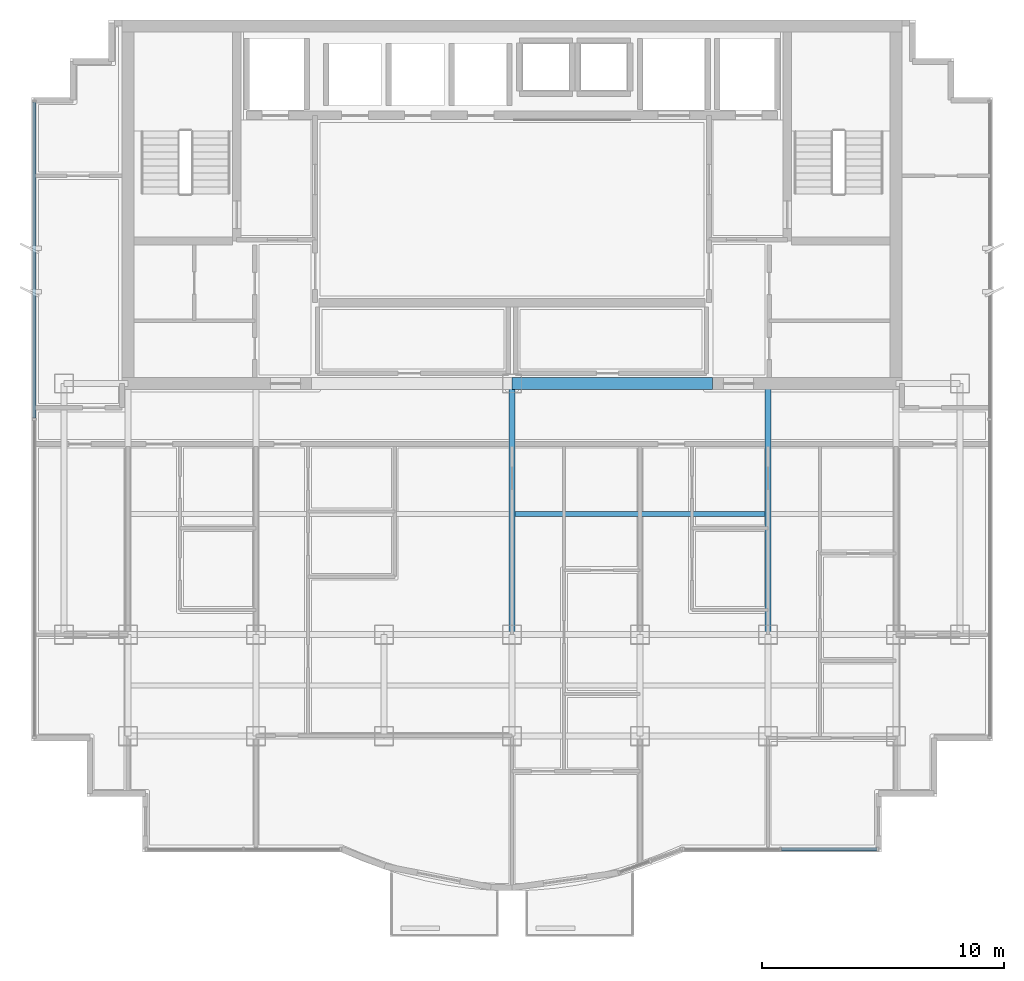
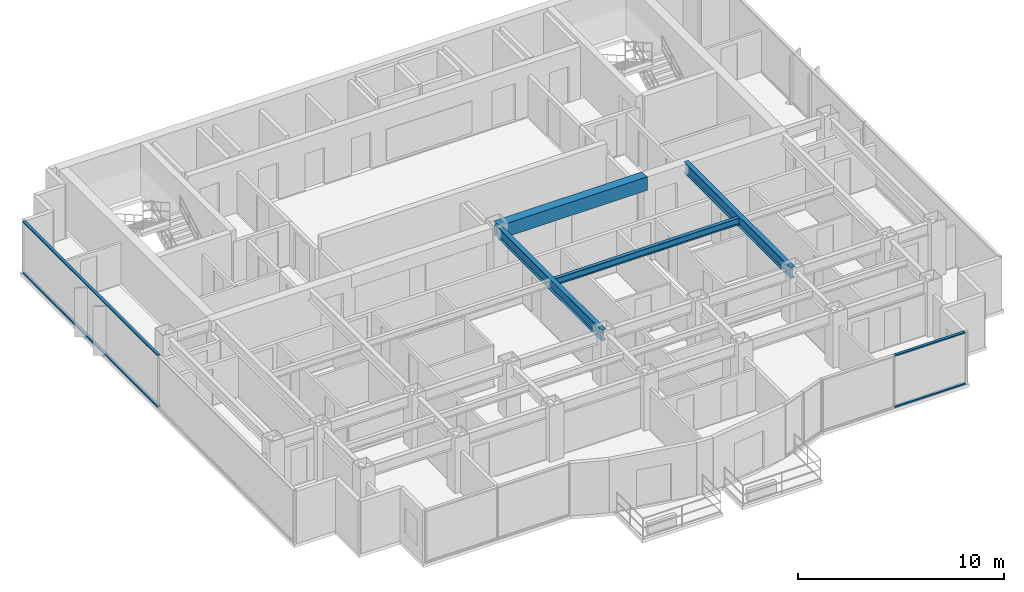
# One storey, part 3 of 12: 4 beams, 4 members, 2 elements without a shape of their own.
"""IFC4 building model written with IfcOpenShell, lengths in metres."""

from ifc_helpers import new_model, si_unit, direction, frame, origin, origin_2d, place, context, subcontext, project, spatial, rectangle, i_section, extrude, source, transform, mapped, material, layer, layer_set, material_profile, profile_set, type_object, element, aggregate, save


model = new_model("IFC4")

# Units and contexts
model_context = context("Model", 3, precision=1e-05, world=origin(), true_north=direction((0.0, 1.0)))
body_context = subcontext(model_context, "Body", "Model", "MODEL_VIEW")
ifc_project = project(units=[si_unit("LENGTHUNIT", "METRE"), si_unit("AREAUNIT", "SQUARE_METRE"), si_unit("VOLUMEUNIT", "CUBIC_METRE"), si_unit("PLANEANGLEUNIT", "RADIAN"), si_unit("MASSUNIT", "GRAM", prefix="KILO")], contexts=[model_context])

# Site, building, storey
site_placement = place(None, origin())
site = spatial("IfcSite", under=ifc_project, at=site_placement, CompositionType="ELEMENT")
building_placement = place(site_placement, origin())
building = spatial("IfcBuilding", under=site, at=building_placement, Name="Qianlan Lanfeng Residences", CompositionType="ELEMENT")
storey_placement = place(building_placement, frame((0.0, 0.0, 200.0)))
storey = spatial("IfcBuildingStorey", under=building, at=storey_placement, Name="L54", CompositionType="ELEMENT", Elevation=200.0)

# Beams
ifc_material_1 = material(Name="Steel SN490B", Category="steel")
ifc_material_profile_1 = material_profile(ifc_material_1, i_section(OverallWidth=0.25, OverallDepth=0.64990234375, WebThickness=0.012939453125, FlangeThickness=0.02197265625, at=origin_2d()), Name="H 650x250x13x22")
ifc_profile_set_1 = profile_set([ifc_material_profile_1], Name="Steel SN490B")
beam_type_1 = type_object("IfcBeamType", Name="G-650", PredefinedType="BEAM", material=ifc_profile_set_1)
for number, where, z_axis, x_axis, name in (
    (1, (26.5, 14.800048828125, 2.784912109375), (0.0, 1.0, 0.0), (-1.0, 0.0, 0.0), "Structural beam G-650"),
    (2, (37.10009765625, 14.800048828125, 2.784912109375), (0.0, 1.0, 0.0), (-1.0, 0.0, 0.0), "Structural beam G-650"),
):
    element("IfcBeam", number, at=place(storey_placement, frame(where, z_axis=z_axis, x_axis=x_axis)), inside=storey, type_object=beam_type_1, Name=name, PredefinedType="BEAM", context=body_context, shape_type="SweptSolid", body=[
        extrude(i_section(OverallWidth=0.25, OverallDepth=0.64990234375, WebThickness=0.012939453125, FlangeThickness=0.02197265625, at=origin_2d()), origin(), (0.0, 0.0, 1.0), 10.39990234375),
    ])
ifc_material_profile_2 = material_profile(ifc_material_1, i_section(OverallWidth=0.199951171875, OverallDepth=0.39990234375, WebThickness=0.008056640625, FlangeThickness=0.012939453125, at=origin_2d()), Name="H 400x200x8x13")
ifc_profile_set_2 = profile_set([ifc_material_profile_2], Name="Steel SN490B")
beam_type_2 = type_object("IfcBeamType", Name="J-400", PredefinedType="JOIST", material=ifc_profile_set_2)
beam_1_placement = place(storey_placement, frame((26.625, 19.800048828125, 2.909912109375), z_axis=(1.0, 0.0, 0.0), x_axis=(0.0, 1.0, 0.0)))
element("IfcBeam", 3, at=beam_1_placement, inside=storey, type_object=beam_type_2, Name="Structural beam J-400", PredefinedType="JOIST", context=body_context, shape_type="SweptSolid", body=[
    extrude(i_section(OverallWidth=0.199951171875, OverallDepth=0.39990234375, WebThickness=0.008056640625, FlangeThickness=0.012939453125, at=origin_2d()), origin(), (0.0, 0.0, 1.0), 10.35009765625),
])
ifc_material_2 = material(Name="Concrete C49", Category="concrete")
ifc_material_profile_3 = material_profile(ifc_material_2, rectangle(XDim=0.5, YDim=0.800048828125, at=origin_2d()), Name="RC 500x800")
ifc_profile_set_3 = profile_set([ifc_material_profile_3], Name="Concrete C49")
beam_type_3 = type_object("IfcBeamType", Name="LB-RC750", PredefinedType="BEAM", material=ifc_profile_set_3)
beam_2_placement = place(storey_placement, frame((26.5, 25.199951171875, 2.7099609375), z_axis=(1.0, 0.0, 0.0), x_axis=(0.0, 1.0, 0.0)))
element("IfcBeam", 4, at=beam_2_placement, inside=storey, type_object=beam_type_3, Name="L54 Core Coupling Beam E", PredefinedType="BEAM", context=body_context, shape_type="SweptSolid", body=[
    extrude(rectangle(XDim=0.5, YDim=0.800048828125, at=origin_2d()), origin(), (0.0, 0.0, 1.0), 8.300048828125),
])

# Curtain wall, members
ifc_material_3 = material(Name="Anodised Bronze Aluminium 6063-T6", Category="aluminium")
ifc_layer = layer(ifc_material_3, 0.219970703125)
ifc_layer_set = layer_set([ifc_layer], Name="Anodised Bronze Aluminium 6063-T6")
curtain_wall_type = type_object("IfcCurtainWallType", Name="CW-05", PredefinedType="NOTDEFINED", material=ifc_layer_set)
curtain_wall_1_placement = place(storey_placement, origin())
curtain_wall_1 = element("IfcCurtainWall", 5, at=curtain_wall_1_placement, inside=storey, type_object=curtain_wall_type, Name="L54 Unitised Curtain Wall CWR-L54-03 (CW-05)", PredefinedType="NOTDEFINED")
ifc_material_profile_4 = material_profile(ifc_material_3, rectangle(XDim=0.074951171875, YDim=0.14990234375, at=origin_2d()), Name="ALU TRANSOM 75x150")
ifc_profile_set_4 = profile_set([ifc_material_profile_4], Name="Anodised Bronze Aluminium 6063-T6")
member_type = type_object("IfcMemberType", Name="CWT-150", PredefinedType="USERDEFINED", material=ifc_profile_set_4)
shared_shape_1 = source(origin(), body_context, "Body", "SweptSolid", [
    extrude(rectangle(XDim=0.074951171875, YDim=0.14990234375, at=origin_2d()), origin(), (0.0, 0.0, 1.0), 3.949462890625),
])
member_1_placement = place(storey_placement, frame((37.655517578125, 5.919921875, 0.03759765625), z_axis=(1.0, 0.0, 0.0), x_axis=(0.0, 0.0, 1.0)))
member_1 = element("IfcMember", 6, at=member_1_placement, type_object=member_type, Name="CWR-L54-03 Transom 2-BOT", ObjectType="TRANSOM", PredefinedType="USERDEFINED", context=body_context, shape_type="MappedRepresentation", body=[
    mapped(shared_shape_1, transform((0.0, 0.0, 0.0), scale=1.0)),
])
member_2_placement = place(storey_placement, frame((37.655517578125, 5.919921875, 3.072509765625), z_axis=(1.0, 0.0, 0.0), x_axis=(0.0, 0.0, 1.0)))
member_2 = element("IfcMember", 7, at=member_2_placement, type_object=member_type, Name="CWR-L54-03 Transom 2-TOP", ObjectType="TRANSOM", PredefinedType="USERDEFINED", context=body_context, shape_type="MappedRepresentation", body=[
    mapped(shared_shape_1, transform((0.0, 0.0, 0.0), scale=1.0)),
])
aggregate(curtain_wall_1, [member_1, member_2])

curtain_wall_2_placement = place(storey_placement, origin())
curtain_wall_2 = element("IfcCurtainWall", 8, at=curtain_wall_2_placement, inside=storey, type_object=curtain_wall_type, Name="L54 Unitised Curtain Wall CWR-L54-05 (CW-05)", PredefinedType="NOTDEFINED")
shared_shape_2 = source(origin(), body_context, "Body", "SweptSolid", [
    extrude(rectangle(XDim=0.074951171875, YDim=0.14990234375, at=origin_2d()), origin(), (0.0, 0.0, 1.0), 13.092529296875),
])
member_3_placement = place(storey_placement, frame((6.719970703125, 36.85498046875, 0.03759765625), z_axis=(0.0, -1.0, 0.0), x_axis=(0.0, 0.0, 1.0)))
member_3 = element("IfcMember", 9, at=member_3_placement, type_object=member_type, Name="CWR-L54-05 Transom 1-BOT", ObjectType="TRANSOM", PredefinedType="USERDEFINED", context=body_context, shape_type="MappedRepresentation", body=[
    mapped(shared_shape_2, transform((0.0, 0.0, 0.0), scale=1.0)),
])
member_4_placement = place(storey_placement, frame((6.719970703125, 36.85498046875, 3.072509765625), z_axis=(0.0, -1.0, 0.0), x_axis=(0.0, 0.0, 1.0)))
member_4 = element("IfcMember", 10, at=member_4_placement, type_object=member_type, Name="CWR-L54-05 Transom 1-TOP", ObjectType="TRANSOM", PredefinedType="USERDEFINED", context=body_context, shape_type="MappedRepresentation", body=[
    mapped(shared_shape_2, transform((0.0, 0.0, 0.0), scale=1.0)),
])
aggregate(curtain_wall_2, [member_3, member_4])

save(model, "model.ifc")
